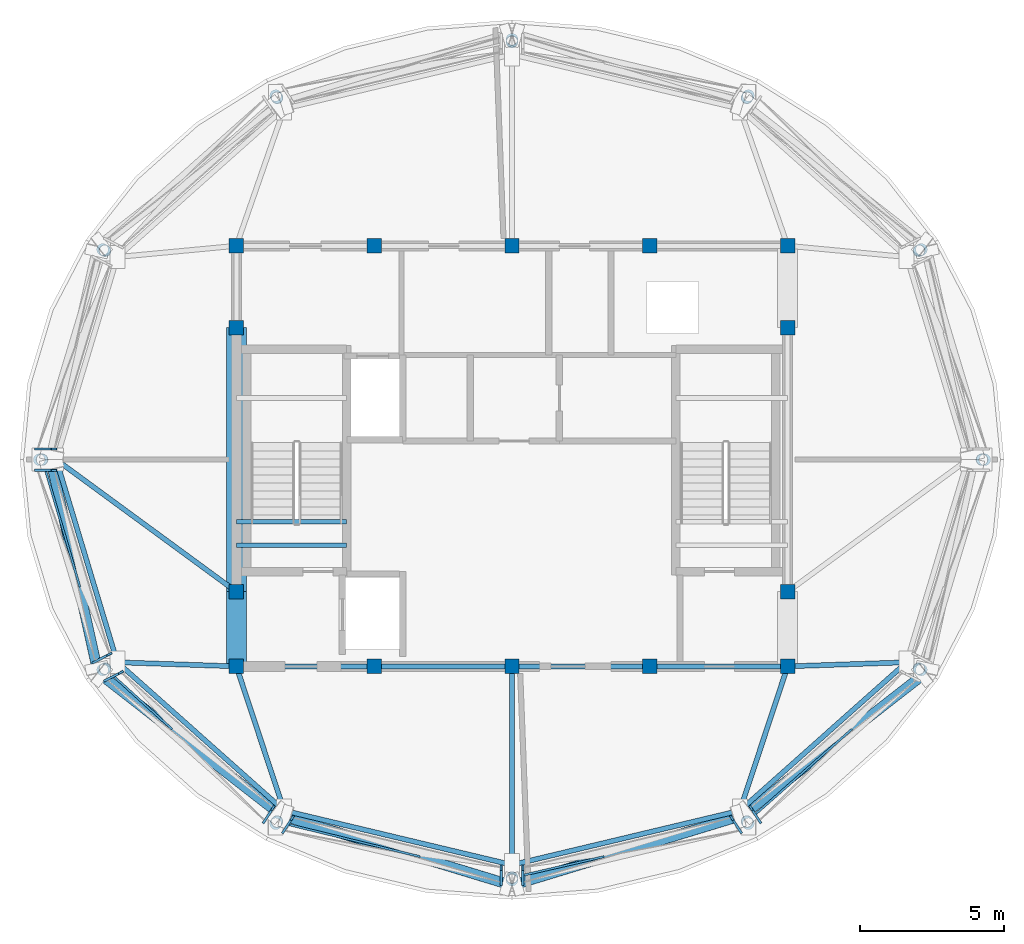
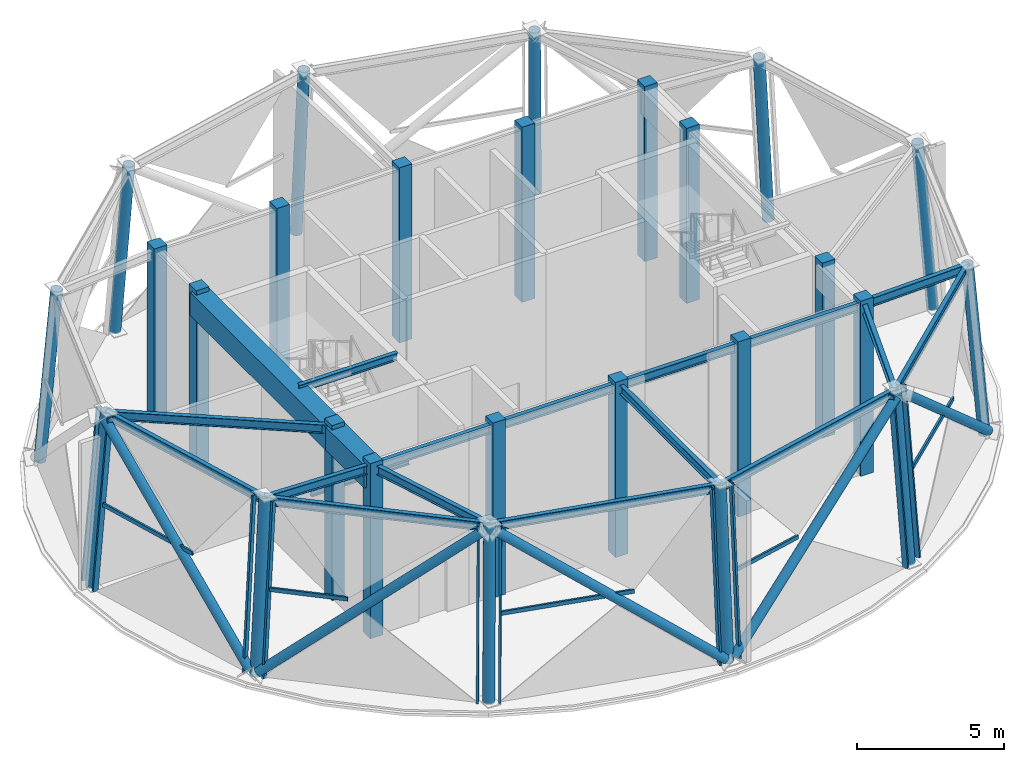
# One storey, part 1 of 9: 26 columns, 20 members, 19 beams, 6 elements without a shape of their own.
"""IFC4 building model written with IfcOpenShell, lengths in metres."""

from ifc_helpers import new_model, si_unit, direction, frame, origin, origin_2d, place, context, subcontext, project, spatial, rectangle, hollow_rectangle, hollow_circle, i_section, extrude, material, layer, layer_set, material_profile, profile_set, type_object, element, aggregate, save


model = new_model("IFC4")

# Units and contexts
model_context = context("Model", 3, precision=1e-05, world=origin(), true_north=direction((0.0, 1.0)))
body_context = subcontext(model_context, "Body", "Model", "MODEL_VIEW")
ifc_project = project(units=[si_unit("LENGTHUNIT", "METRE"), si_unit("AREAUNIT", "SQUARE_METRE"), si_unit("VOLUMEUNIT", "CUBIC_METRE"), si_unit("PLANEANGLEUNIT", "RADIAN"), si_unit("MASSUNIT", "GRAM", prefix="KILO")], contexts=[model_context])

# Site, building, storey
site_placement = place(None, origin())
site = spatial("IfcSite", under=ifc_project, at=site_placement, CompositionType="ELEMENT")
building_placement = place(site_placement, origin())
building = spatial("IfcBuilding", under=site, at=building_placement, Name="Vantalir Tower", CompositionType="ELEMENT")
storey_placement = place(building_placement, frame((0.0, 0.0, 311.75)))
storey = spatial("IfcBuildingStorey", under=building, at=storey_placement, Name="L77", CompositionType="ELEMENT", Elevation=311.75)

# Columns
ifc_material_1 = material(Name="Concrete C50/60", Category="concrete")
ifc_material_profile_1 = material_profile(ifc_material_1, rectangle(XDim=0.5, YDim=0.5, at=origin_2d()), Name="Concrete C50/60")
ifc_profile_set_1 = profile_set([ifc_material_profile_1], Name="Concrete C50/60")
column_type_1 = type_object("IfcColumnType", Name="COL-CC-500", PredefinedType="COLUMN", material=ifc_profile_set_1)
for number, where, z_axis, x_axis, name in (
    (1, (21.89990234375, 17.800048828125, 0.0), (0.0, 0.0, 1.0), (1.0, 0.0, 0.0), "L77 Core Column CC01"),
    (2, (26.699951171875, 17.800048828125, 0.0), (0.0, 0.0, 1.0), (1.0, 0.0, 0.0), "L77 Core Column CC02"),
    (3, (31.5, 17.800048828125, 0.0), (0.0, 0.0, 1.0), (1.0, 0.0, 0.0), "L77 Core Column CC03"),
    (4, (36.300048828125, 17.800048828125, 0.0), (0.0, 0.0, 1.0), (1.0, 0.0, 0.0), "L77 Core Column CC04"),
    (5, (41.10009765625, 17.800048828125, 0.0), (0.0, 0.0, 1.0), (1.0, 0.0, 0.0), "L77 Core Column CC05"),
    (6, (21.89990234375, 20.39990234375, 0.0), (0.0, 0.0, 1.0), (1.0, 0.0, 0.0), "L77 Core Column CC06"),
    (7, (21.89990234375, 29.60009765625, 0.0), (0.0, 0.0, 1.0), (1.0, 0.0, 0.0), "L77 Core Column CC07"),
    (8, (41.10009765625, 20.39990234375, 0.0), (0.0, 0.0, 1.0), (1.0, 0.0, 0.0), "L77 Core Column CC08"),
    (9, (41.10009765625, 29.60009765625, 0.0), (0.0, 0.0, 1.0), (1.0, 0.0, 0.0), "L77 Core Column CC09"),
    (10, (21.89990234375, 32.449951171875, 0.0), (0.0, 0.0, 1.0), (1.0, 0.0, 0.0), "L77 Core Column CC10"),
    (11, (26.699951171875, 32.449951171875, 0.0), (0.0, 0.0, 1.0), (1.0, 0.0, 0.0), "L77 Core Column CC11"),
    (12, (31.5, 32.449951171875, 0.0), (0.0, 0.0, 1.0), (1.0, 0.0, 0.0), "L77 Core Column CC12"),
    (13, (36.300048828125, 32.449951171875, 0.0), (0.0, 0.0, 1.0), (1.0, 0.0, 0.0), "L77 Core Column CC13"),
    (14, (41.10009765625, 32.449951171875, 0.0), (0.0, 0.0, 1.0), (1.0, 0.0, 0.0), "L77 Core Column CC14"),
):
    element("IfcColumn", number, at=place(storey_placement, frame(where, z_axis=z_axis, x_axis=x_axis)), inside=storey, type_object=column_type_1, Name=name, PredefinedType="COLUMN", context=body_context, shape_type="SweptSolid", body=[
        extrude(rectangle(XDim=0.5, YDim=0.5, at=origin_2d()), origin(), (0.0, 0.0, 1.0), 7.25),
    ])
ifc_material_2 = material(Name="Steel S460", Category="steel")
ifc_material_profile_2 = material_profile(ifc_material_2, hollow_circle(Radius=0.2099609375, WallThickness=0.02001953125, at=origin_2d()), Name="Steel S460")
ifc_profile_set_2 = profile_set([ifc_material_profile_2], Name="Steel S460")
column_type_2 = type_object("IfcColumnType", Name="COL-RC-420", PredefinedType="COLUMN", material=ifc_profile_set_2)
column_1_placement = place(storey_placement, frame((47.962890625, 25.0, 0.0), z_axis=(-0.082729348839, 0.0, 0.996572052007), x_axis=(0.0, -1.0, 0.0)))
element("IfcColumn", 15, at=column_1_placement, inside=storey, type_object=column_type_2, Name="L77 Perimeter Ring Column RC01", PredefinedType="COLUMN", context=body_context, shape_type="SweptSolid", body=[
    extrude(hollow_circle(Radius=0.2099609375, WallThickness=0.02001953125, at=origin_2d()), origin(), (0.0, 0.0, 1.0), 7.094482421875),
])
column_2_placement = place(storey_placement, frame((45.757080078125, 32.320068359375, 0.0), z_axis=(-0.071626494536, -0.036931873444, 0.996747551792), x_axis=(0.4582838613, -0.888805885709, 0.0)))
element("IfcColumn", 16, at=column_2_placement, inside=storey, type_object=column_type_2, Name="L77 Perimeter Ring Column RC02", PredefinedType="COLUMN", context=body_context, shape_type="SweptSolid", body=[
    extrude(hollow_circle(Radius=0.2099609375, WallThickness=0.02001953125, at=origin_2d()), origin(), (0.0, 0.0, 1.0), 7.093017578125),
])
column_3_placement = place(storey_placement, frame((39.73193359375, 37.678955078125, 0.0), z_axis=(-0.04145495348, -0.064007274517, 0.997088038059), x_axis=(0.839339926536, -0.54360692391, 0.0)))
element("IfcColumn", 17, at=column_3_placement, inside=storey, type_object=column_type_2, Name="L77 Perimeter Ring Column RC03", PredefinedType="COLUMN", context=body_context, shape_type="SweptSolid", body=[
    extrude(hollow_circle(Radius=0.2099609375, WallThickness=0.02001953125, at=origin_2d()), origin(), (0.0, 0.0, 1.0), 7.0908203125),
])
column_4_placement = place(storey_placement, frame((31.5, 39.639892578125, 0.0), z_axis=(0.0, -0.073902129239, 0.997265498899), x_axis=(1.0, 0.0, 0.0)))
element("IfcColumn", 18, at=column_4_placement, inside=storey, type_object=column_type_2, Name="L77 Perimeter Ring Column RC04", PredefinedType="COLUMN", context=body_context, shape_type="SweptSolid", body=[
    extrude(hollow_circle(Radius=0.2099609375, WallThickness=0.02001953125, at=origin_2d()), origin(), (0.0, 0.0, 1.0), 7.08935546875),
])
column_5_placement = place(storey_placement, frame((23.26904296875, 37.678955078125, 0.0), z_axis=(0.041317464886, -0.064007639353, 0.997093721372), x_axis=(0.840163795979, 0.542332735436, 0.0)))
element("IfcColumn", 19, at=column_5_placement, inside=storey, type_object=column_type_2, Name="L77 Perimeter Ring Column RC05", PredefinedType="COLUMN", context=body_context, shape_type="SweptSolid", body=[
    extrude(hollow_circle(Radius=0.2099609375, WallThickness=0.02001953125, at=origin_2d()), origin(), (0.0, 0.0, 1.0), 7.090576171875),
])
column_6_placement = place(storey_placement, frame((17.242919921875, 32.320068359375, 0.0), z_axis=(0.071626494536, -0.036931873444, 0.996747551792), x_axis=(0.4582838613, 0.888805885709, 0.0)))
element("IfcColumn", 20, at=column_6_placement, inside=storey, type_object=column_type_2, Name="L77 Perimeter Ring Column RC06", PredefinedType="COLUMN", context=body_context, shape_type="SweptSolid", body=[
    extrude(hollow_circle(Radius=0.2099609375, WallThickness=0.02001953125, at=origin_2d()), origin(), (0.0, 0.0, 1.0), 7.093017578125),
])
column_7_placement = place(storey_placement, frame((15.037109375, 25.0, 0.0), z_axis=(0.082729348839, 0.0, 0.996572052007), x_axis=(0.0, 1.0, 0.0)))
element("IfcColumn", 21, at=column_7_placement, inside=storey, type_object=column_type_2, Name="L77 Perimeter Ring Column RC07", PredefinedType="COLUMN", context=body_context, shape_type="SweptSolid", body=[
    extrude(hollow_circle(Radius=0.2099609375, WallThickness=0.02001953125, at=origin_2d()), origin(), (0.0, 0.0, 1.0), 7.094482421875),
])
column_8_placement = place(storey_placement, frame((17.242919921875, 17.679931640625, 0.0), z_axis=(0.071626494536, 0.036931873444, 0.996747551792), x_axis=(-0.4582838613, 0.888805885709, 0.0)))
element("IfcColumn", 22, at=column_8_placement, inside=storey, type_object=column_type_2, Name="L77 Perimeter Ring Column RC08", PredefinedType="COLUMN", context=body_context, shape_type="SweptSolid", body=[
    extrude(hollow_circle(Radius=0.2099609375, WallThickness=0.02001953125, at=origin_2d()), origin(), (0.0, 0.0, 1.0), 7.093017578125),
])
column_9_placement = place(storey_placement, frame((23.26806640625, 12.321044921875, 0.0), z_axis=(0.04145495348, 0.064007274517, 0.997088038059), x_axis=(-0.839339926536, 0.54360692391, 0.0)))
element("IfcColumn", 23, at=column_9_placement, inside=storey, type_object=column_type_2, Name="L77 Perimeter Ring Column RC09", PredefinedType="COLUMN", context=body_context, shape_type="SweptSolid", body=[
    extrude(hollow_circle(Radius=0.2099609375, WallThickness=0.02001953125, at=origin_2d()), origin(), (0.0, 0.0, 1.0), 7.0908203125),
])
column_10_placement = place(storey_placement, frame((31.5, 10.360107421875, 0.0), z_axis=(0.0, 0.073902129239, 0.997265498899), x_axis=(-1.0, 0.0, 0.0)))
element("IfcColumn", 24, at=column_10_placement, inside=storey, type_object=column_type_2, Name="L77 Perimeter Ring Column RC10", PredefinedType="COLUMN", context=body_context, shape_type="SweptSolid", body=[
    extrude(hollow_circle(Radius=0.2099609375, WallThickness=0.02001953125, at=origin_2d()), origin(), (0.0, 0.0, 1.0), 7.08935546875),
])
column_11_placement = place(storey_placement, frame((39.73193359375, 12.321044921875, 0.0), z_axis=(-0.04145495348, 0.064007274517, 0.997088038059), x_axis=(-0.839339926536, -0.54360692391, 0.0)))
element("IfcColumn", 25, at=column_11_placement, inside=storey, type_object=column_type_2, Name="L77 Perimeter Ring Column RC11", PredefinedType="COLUMN", context=body_context, shape_type="SweptSolid", body=[
    extrude(hollow_circle(Radius=0.2099609375, WallThickness=0.02001953125, at=origin_2d()), origin(), (0.0, 0.0, 1.0), 7.0908203125),
])
column_12_placement = place(storey_placement, frame((45.757080078125, 17.679931640625, 0.0), z_axis=(-0.071626494536, 0.036931873444, 0.996747551792), x_axis=(-0.4582838613, -0.888805885709, 0.0)))
element("IfcColumn", 26, at=column_12_placement, inside=storey, type_object=column_type_2, Name="L77 Perimeter Ring Column RC12", PredefinedType="COLUMN", context=body_context, shape_type="SweptSolid", body=[
    extrude(hollow_circle(Radius=0.2099609375, WallThickness=0.02001953125, at=origin_2d()), origin(), (0.0, 0.0, 1.0), 7.093017578125),
])

# Beams
ifc_material_3 = material(Name="Concrete C60/75", Category="concrete")
ifc_material_profile_3 = material_profile(ifc_material_3, rectangle(XDim=0.699951171875, YDim=0.949951171875, at=origin_2d()), Name="Concrete C60/75")
ifc_profile_set_3 = profile_set([ifc_material_profile_3], Name="Concrete C60/75")
beam_type_1 = type_object("IfcBeamType", Name="BM-CB-700x950", PredefinedType="USERDEFINED", material=ifc_profile_set_3)
beam_1_placement = place(storey_placement, frame((21.89990234375, 29.60009765625, 6.594970703125), z_axis=(0.0, -1.0, 0.0), x_axis=(1.0, 0.0, 0.0)))
element("IfcBeam", 27, at=beam_1_placement, inside=storey, type_object=beam_type_1, Name="L77 Core Coupling Girder 13", ObjectType="GIRDER", PredefinedType="USERDEFINED", context=body_context, shape_type="SweptSolid", body=[
    extrude(rectangle(XDim=0.699951171875, YDim=0.949951171875, at=origin_2d()), origin(), (0.0, 0.0, 1.0), 9.2001953125),
])
beam_2_placement = place(storey_placement, frame((21.89990234375, 20.39990234375, 6.594970703125), z_axis=(0.0, -1.0, 0.0), x_axis=(1.0, 0.0, 0.0)))
element("IfcBeam", 28, at=beam_2_placement, inside=storey, type_object=beam_type_1, Name="L77 Core Coupling Girder 14", ObjectType="GIRDER", PredefinedType="USERDEFINED", context=body_context, shape_type="SweptSolid", body=[
    extrude(rectangle(XDim=0.699951171875, YDim=0.949951171875, at=origin_2d()), origin(), (0.0, 0.0, 1.0), 2.599853515625),
])
ifc_material_4 = material(Name="Steel S355", Category="steel")
ifc_material_profile_4 = material_profile(ifc_material_4, i_section(OverallWidth=0.166015625, OverallDepth=0.306884765625, WebThickness=0.006591796875, FlangeThickness=0.01171875, at=origin_2d()), Name="Steel S355")
ifc_profile_set_4 = profile_set([ifc_material_profile_4], Name="Steel S355")
beam_type_2 = type_object("IfcBeamType", Name="BM-JS-305x165", PredefinedType="JOIST", material=ifc_profile_set_4)
for number, where, z_axis, x_axis, name in (
    (29, (21.89990234375, 22.8349609375, 7.095947265625), (1.0, 0.0, 0.0), (0.0, 1.0, 0.0), "L78 Stair ST1 Well Nosing Trimmer Beam"),
    (30, (21.89990234375, 22.02001953125, 3.27197265625), (1.0, 0.0, 0.0), (0.0, 1.0, 0.0), "L77 Stair ST1 Half-Landing Support Beam"),
):
    element("IfcBeam", number, at=place(storey_placement, frame(where, z_axis=z_axis, x_axis=x_axis)), inside=storey, type_object=beam_type_2, Name=name, PredefinedType="JOIST", context=body_context, shape_type="SweptSolid", body=[
        extrude(i_section(OverallWidth=0.166015625, OverallDepth=0.306884765625, WebThickness=0.006591796875, FlangeThickness=0.01171875, at=origin_2d()), origin(), (0.0, 0.0, 1.0), 3.840087890625),
    ])
ifc_material_profile_5 = material_profile(ifc_material_2, i_section(OverallWidth=0.172119140625, OverallDepth=0.35791015625, WebThickness=0.008056640625, FlangeThickness=0.012939453125, at=origin_2d()), Name="Steel S460")
ifc_profile_set_5 = profile_set([ifc_material_profile_5], Name="Steel S460")
beam_type_3 = type_object("IfcBeamType", Name="BM-RB-356x171", PredefinedType="BEAM", material=ifc_profile_set_5)
for number, where, z_axis, x_axis, name in (
    (31, (21.89990234375, 17.800048828125, 6.89111328125), (1.0, 0.0, 0.0), (0.0, 1.0, 0.0), "L77 Core Coupling Girder 01"),
    (32, (26.699951171875, 17.800048828125, 6.89111328125), (1.0, 0.0, 0.0), (0.0, 1.0, 0.0), "L77 Core Coupling Girder 02"),
    (33, (31.5, 17.800048828125, 6.89111328125), (1.0, 0.0, 0.0), (0.0, 1.0, 0.0), "L77 Core Coupling Girder 03"),
    (34, (36.300048828125, 17.800048828125, 6.89111328125), (1.0, 0.0, 0.0), (0.0, 1.0, 0.0), "L77 Core Coupling Girder 04"),
):
    element("IfcBeam", number, at=place(storey_placement, frame(where, z_axis=z_axis, x_axis=x_axis)), inside=storey, type_object=beam_type_3, Name=name, PredefinedType="BEAM", context=body_context, shape_type="SweptSolid", body=[
        extrude(i_section(OverallWidth=0.172119140625, OverallDepth=0.35791015625, WebThickness=0.008056640625, FlangeThickness=0.012939453125, at=origin_2d()), origin(), (0.0, 0.0, 1.0), 4.800048828125),
    ])
beam_3_placement = place(storey_placement, frame((15.6240234375, 25.0, 6.89111328125), z_axis=(0.288532657113, -0.957470054769, 0.0), x_axis=(0.957470054769, 0.288532657113, 0.0)))
element("IfcBeam", 35, at=beam_3_placement, inside=storey, type_object=beam_type_3, Name="L77 Circumferential Ring Girder 07", PredefinedType="BEAM", context=body_context, shape_type="SweptSolid", body=[
    extrude(i_section(OverallWidth=0.172119140625, OverallDepth=0.35791015625, WebThickness=0.008056640625, FlangeThickness=0.012939453125, at=origin_2d()), origin(), (0.0, 0.0, 1.0), 7.37158203125),
])
beam_4_placement = place(storey_placement, frame((15.6240234375, 25.0, 6.89111328125), z_axis=(0.80654063321, -0.591178659105, 0.0), x_axis=(0.591178659105, 0.80654063321, 0.0)))
element("IfcBeam", 36, at=beam_4_placement, inside=storey, type_object=beam_type_3, Name="L77 Radial Floor Beam 07", PredefinedType="BEAM", context=body_context, shape_type="SweptSolid", body=[
    extrude(i_section(OverallWidth=0.172119140625, OverallDepth=0.35791015625, WebThickness=0.008056640625, FlangeThickness=0.012939453125, at=origin_2d()), origin(), (0.0, 0.0, 1.0), 7.78125),
])
beam_5_placement = place(storey_placement, frame((17.7509765625, 17.94189453125, 6.89111328125), z_axis=(0.747305375478, -0.664480756517, 0.0), x_axis=(0.664480756517, 0.747305375478, 0.0)))
element("IfcBeam", 37, at=beam_5_placement, inside=storey, type_object=beam_type_3, Name="L77 Circumferential Ring Girder 08", PredefinedType="BEAM", context=body_context, shape_type="SweptSolid", body=[
    extrude(i_section(OverallWidth=0.172119140625, OverallDepth=0.35791015625, WebThickness=0.008056640625, FlangeThickness=0.012939453125, at=origin_2d()), origin(), (0.0, 0.0, 1.0), 7.77587890625),
])
beam_6_placement = place(storey_placement, frame((17.7509765625, 17.94189453125, 6.89111328125), z_axis=(0.9994160838, -0.03416857389, 0.0), x_axis=(0.03416857389, 0.9994160838, 0.0)))
element("IfcBeam", 38, at=beam_6_placement, inside=storey, type_object=beam_type_3, Name="L77 Radial Floor Beam 08", PredefinedType="BEAM", context=body_context, shape_type="SweptSolid", body=[
    extrude(i_section(OverallWidth=0.172119140625, OverallDepth=0.35791015625, WebThickness=0.008056640625, FlangeThickness=0.012939453125, at=origin_2d()), origin(), (0.0, 0.0, 1.0), 4.1513671875),
])
beam_7_placement = place(storey_placement, frame((23.56201171875, 12.77490234375, 6.89111328125), z_axis=(0.972782133086, -0.231721646698, 0.0), x_axis=(0.231721646698, 0.972782133086, 0.0)))
element("IfcBeam", 39, at=beam_7_placement, inside=storey, type_object=beam_type_3, Name="L77 Circumferential Ring Girder 09", PredefinedType="BEAM", context=body_context, shape_type="SweptSolid", body=[
    extrude(i_section(OverallWidth=0.172119140625, OverallDepth=0.35791015625, WebThickness=0.008056640625, FlangeThickness=0.012939453125, at=origin_2d()), origin(), (0.0, 0.0, 1.0), 8.16015625),
])
beam_8_placement = place(storey_placement, frame((23.56201171875, 12.77490234375, 6.89111328125), z_axis=(-0.314026699104, 0.949414152122, 0.0), x_axis=(-0.949414152122, -0.314026699104, 0.0)))
element("IfcBeam", 40, at=beam_8_placement, inside=storey, type_object=beam_type_3, Name="L77 Radial Floor Beam 09", PredefinedType="BEAM", context=body_context, shape_type="SweptSolid", body=[
    extrude(i_section(OverallWidth=0.172119140625, OverallDepth=0.35791015625, WebThickness=0.008056640625, FlangeThickness=0.012939453125, at=origin_2d()), origin(), (0.0, 0.0, 1.0), 5.29296875),
])
beam_9_placement = place(storey_placement, frame((31.5, 10.884033203125, 6.89111328125), z_axis=(0.972782133086, 0.231721646698, 0.0), x_axis=(-0.231721646698, 0.972782133086, 0.0)))
element("IfcBeam", 41, at=beam_9_placement, inside=storey, type_object=beam_type_3, Name="L77 Circumferential Ring Girder 10", PredefinedType="BEAM", context=body_context, shape_type="SweptSolid", body=[
    extrude(i_section(OverallWidth=0.172119140625, OverallDepth=0.35791015625, WebThickness=0.008056640625, FlangeThickness=0.012939453125, at=origin_2d()), origin(), (0.0, 0.0, 1.0), 8.16015625),
])
beam_10_placement = place(storey_placement, frame((31.5, 10.884033203125, 6.89111328125), z_axis=(0.0, 1.0, 0.0), x_axis=(-1.0, 0.0, 0.0)))
element("IfcBeam", 42, at=beam_10_placement, inside=storey, type_object=beam_type_3, Name="L77 Radial Floor Beam 10", PredefinedType="BEAM", context=body_context, shape_type="SweptSolid", body=[
    extrude(i_section(OverallWidth=0.172119140625, OverallDepth=0.35791015625, WebThickness=0.008056640625, FlangeThickness=0.012939453125, at=origin_2d()), origin(), (0.0, 0.0, 1.0), 6.916015625),
])
beam_11_placement = place(storey_placement, frame((39.43798828125, 12.77490234375, 6.89111328125), z_axis=(0.747305375478, 0.664480756517, 0.0), x_axis=(-0.664480756517, 0.747305375478, 0.0)))
element("IfcBeam", 43, at=beam_11_placement, inside=storey, type_object=beam_type_3, Name="L77 Circumferential Ring Girder 11", PredefinedType="BEAM", context=body_context, shape_type="SweptSolid", body=[
    extrude(i_section(OverallWidth=0.172119140625, OverallDepth=0.35791015625, WebThickness=0.008056640625, FlangeThickness=0.012939453125, at=origin_2d()), origin(), (0.0, 0.0, 1.0), 7.77587890625),
])
beam_12_placement = place(storey_placement, frame((39.43798828125, 12.77490234375, 6.89111328125), z_axis=(0.314026699104, 0.949414152122, 0.0), x_axis=(-0.949414152122, 0.314026699104, 0.0)))
element("IfcBeam", 44, at=beam_12_placement, inside=storey, type_object=beam_type_3, Name="L77 Radial Floor Beam 11", PredefinedType="BEAM", context=body_context, shape_type="SweptSolid", body=[
    extrude(i_section(OverallWidth=0.172119140625, OverallDepth=0.35791015625, WebThickness=0.008056640625, FlangeThickness=0.012939453125, at=origin_2d()), origin(), (0.0, 0.0, 1.0), 5.29296875),
])
beam_13_placement = place(storey_placement, frame((45.2490234375, 17.94189453125, 6.89111328125), z_axis=(-0.9994160838, -0.03416857389, 0.0), x_axis=(0.03416857389, -0.9994160838, 0.0)))
element("IfcBeam", 45, at=beam_13_placement, inside=storey, type_object=beam_type_3, Name="L77 Radial Floor Beam 12", PredefinedType="BEAM", context=body_context, shape_type="SweptSolid", body=[
    extrude(i_section(OverallWidth=0.172119140625, OverallDepth=0.35791015625, WebThickness=0.008056640625, FlangeThickness=0.012939453125, at=origin_2d()), origin(), (0.0, 0.0, 1.0), 4.1513671875),
])

# Curtain wall, member
ifc_material_5 = material(Name="Champagne-silver PVDF aluminium and double-silver Low-E glass", Category="aluminium")
ifc_layer = layer(ifc_material_5, 0.25)
ifc_layer_set = layer_set([ifc_layer], Name="Champagne-silver PVDF aluminium and double-silver Low-E glass")
curtain_wall_type = type_object("IfcCurtainWallType", Name="CW-CROWN-PT", PredefinedType="USERDEFINED", material=ifc_layer_set)
curtain_wall_1_placement = place(storey_placement, origin())
curtain_wall_1 = element("IfcCurtainWall", 46, at=curtain_wall_1_placement, inside=storey, type_object=curtain_wall_type, Name="L77 Quilted Pyramid-Diamond Curtain Wall S06", ObjectType="UNITISED CURTAIN WALL", PredefinedType="USERDEFINED")
ifc_material_6 = material(Name="Champagne-silver PVDF aluminium 6063-T6", Category="aluminium")
ifc_material_profile_6 = material_profile(ifc_material_6, hollow_rectangle(XDim=0.080078125, YDim=0.199951171875, WallThickness=0.0048828125, at=origin_2d()), Name="Champagne-silver PVDF aluminium 6063-T6")
ifc_profile_set_6 = profile_set([ifc_material_profile_6], Name="Champagne-silver PVDF aluminium 6063-T6")
member_type_1 = type_object("IfcMemberType", Name="CWM-200x80", PredefinedType="MULLION", material=ifc_profile_set_6)
member_1_placement = place(storey_placement, frame((14.958984375, 25.373046875, 0.044921875), z_axis=(0.083789655369, 0.0, 0.996483463813), x_axis=(0.0, 1.0, 0.0)))
member_1 = element("IfcMember", 47, at=member_1_placement, type_object=member_type_1, Name="CW-L77-S06 Mullion 2", PredefinedType="MULLION", context=body_context, shape_type="SweptSolid", body=[
    extrude(hollow_rectangle(XDim=0.080078125, YDim=0.199951171875, WallThickness=0.0048828125, at=origin_2d()), origin(), (0.0, 0.0, 1.0), 7.004638671875),
])
aggregate(curtain_wall_1, [member_1])

# Curtain wall, members
curtain_wall_2_placement = place(storey_placement, origin())
curtain_wall_2 = element("IfcCurtainWall", 48, at=curtain_wall_2_placement, inside=storey, type_object=curtain_wall_type, Name="L77 Quilted Pyramid-Diamond Curtain Wall S07", ObjectType="UNITISED CURTAIN WALL", PredefinedType="USERDEFINED")
member_2_placement = place(storey_placement, frame((14.958984375, 24.626953125, 0.044921875), z_axis=(0.083789655369, 0.0, 0.996483463813), x_axis=(0.0, 1.0, 0.0)))
member_2 = element("IfcMember", 49, at=member_2_placement, type_object=member_type_1, Name="CW-L77-S07 Mullion 1", PredefinedType="MULLION", context=body_context, shape_type="SweptSolid", body=[
    extrude(hollow_rectangle(XDim=0.080078125, YDim=0.199951171875, WallThickness=0.0048828125, at=origin_2d()), origin(), (0.0, 0.0, 1.0), 7.004638671875),
])
member_3_placement = place(storey_placement, frame((16.966064453125, 17.9580078125, 0.044921875), z_axis=(0.072544830154, 0.037405383352, 0.996663476262), x_axis=(-0.4582838613, 0.888805885709, 0.0)))
member_3 = element("IfcMember", 50, at=member_3_placement, type_object=member_type_1, Name="CW-L77-S07 Mullion 2", PredefinedType="MULLION", context=body_context, shape_type="SweptSolid", body=[
    extrude(hollow_rectangle(XDim=0.080078125, YDim=0.199951171875, WallThickness=0.0048828125, at=origin_2d()), origin(), (0.0, 0.0, 1.0), 7.00341796875),
])

curtain_wall_3_placement = place(storey_placement, origin())
curtain_wall_3 = element("IfcCurtainWall", 51, at=curtain_wall_3_placement, inside=storey, type_object=curtain_wall_type, Name="L77 Quilted Pyramid-Diamond Curtain Wall S08", ObjectType="UNITISED CURTAIN WALL", PredefinedType="USERDEFINED")
member_4_placement = place(storey_placement, frame((17.368896484375, 17.325927734375, 0.044921875), z_axis=(0.072544830154, 0.037405383352, 0.996663476262), x_axis=(-0.4582838613, 0.888805885709, 0.0)))
member_4 = element("IfcMember", 52, at=member_4_placement, type_object=member_type_1, Name="CW-L77-S08 Mullion 1", PredefinedType="MULLION", context=body_context, shape_type="SweptSolid", body=[
    extrude(hollow_rectangle(XDim=0.080078125, YDim=0.199951171875, WallThickness=0.0048828125, at=origin_2d()), origin(), (0.0, 0.0, 1.0), 7.00341796875),
])
member_5_placement = place(storey_placement, frame((22.882080078125, 12.416015625, 0.044921875), z_axis=(0.041986729828, 0.064863220499, 0.997010469927), x_axis=(-0.839473273036, 0.54340097889, 0.0)))
member_5 = element("IfcMember", 53, at=member_5_placement, type_object=member_type_1, Name="CW-L77-S08 Mullion 2", PredefinedType="MULLION", context=body_context, shape_type="SweptSolid", body=[
    extrude(hollow_rectangle(XDim=0.080078125, YDim=0.199951171875, WallThickness=0.0048828125, at=origin_2d()), origin(), (0.0, 0.0, 1.0), 7.0009765625),
])

curtain_wall_4_placement = place(storey_placement, origin())
curtain_wall_4 = element("IfcCurtainWall", 54, at=curtain_wall_4_placement, inside=storey, type_object=curtain_wall_type, Name="L77 Quilted Pyramid-Diamond Curtain Wall S09", ObjectType="UNITISED CURTAIN WALL", PredefinedType="USERDEFINED")
member_6_placement = place(storey_placement, frame((23.552001953125, 12.06591796875, 0.044921875), z_axis=(0.041986729828, 0.064863220499, 0.997010469927), x_axis=(-0.839473273036, 0.54340097889, 0.0)))
member_6 = element("IfcMember", 55, at=member_6_placement, type_object=member_type_1, Name="CW-L77-S09 Mullion 1", PredefinedType="MULLION", context=body_context, shape_type="SweptSolid", body=[
    extrude(hollow_rectangle(XDim=0.080078125, YDim=0.199951171875, WallThickness=0.0048828125, at=origin_2d()), origin(), (0.0, 0.0, 1.0), 7.0009765625),
])
member_7_placement = place(storey_placement, frame((31.12109375, 10.260986328125, 0.044921875), z_axis=(0.0, 0.074850645186, 0.99719475576), x_axis=(-1.0, 0.0, 0.0)))
member_7 = element("IfcMember", 56, at=member_7_placement, type_object=member_type_1, Name="CW-L77-S09 Mullion 2", PredefinedType="MULLION", context=body_context, shape_type="SweptSolid", body=[
    extrude(hollow_rectangle(XDim=0.080078125, YDim=0.199951171875, WallThickness=0.0048828125, at=origin_2d()), origin(), (0.0, 0.0, 1.0), 6.99951171875),
])

curtain_wall_5_placement = place(storey_placement, origin())
curtain_wall_5 = element("IfcCurtainWall", 57, at=curtain_wall_5_placement, inside=storey, type_object=curtain_wall_type, Name="L77 Quilted Pyramid-Diamond Curtain Wall S10", ObjectType="UNITISED CURTAIN WALL", PredefinedType="USERDEFINED")
member_8_placement = place(storey_placement, frame((31.87890625, 10.260986328125, 0.044921875), z_axis=(0.0, 0.074850645186, 0.99719475576), x_axis=(-1.0, 0.0, 0.0)))
member_8 = element("IfcMember", 58, at=member_8_placement, type_object=member_type_1, Name="CW-L77-S10 Mullion 1", PredefinedType="MULLION", context=body_context, shape_type="SweptSolid", body=[
    extrude(hollow_rectangle(XDim=0.080078125, YDim=0.199951171875, WallThickness=0.0048828125, at=origin_2d()), origin(), (0.0, 0.0, 1.0), 6.99951171875),
])
member_9_placement = place(storey_placement, frame((39.447998046875, 12.06591796875, 0.044921875), z_axis=(-0.041986729828, 0.064863220499, 0.997010469927), x_axis=(-0.839473273036, -0.54340097889, 0.0)))
member_9 = element("IfcMember", 59, at=member_9_placement, type_object=member_type_1, Name="CW-L77-S10 Mullion 2", PredefinedType="MULLION", context=body_context, shape_type="SweptSolid", body=[
    extrude(hollow_rectangle(XDim=0.080078125, YDim=0.199951171875, WallThickness=0.0048828125, at=origin_2d()), origin(), (0.0, 0.0, 1.0), 7.0009765625),
])

# Curtain wall, member
curtain_wall_6_placement = place(storey_placement, origin())
curtain_wall_6 = element("IfcCurtainWall", 60, at=curtain_wall_6_placement, inside=storey, type_object=curtain_wall_type, Name="L77 Quilted Pyramid-Diamond Curtain Wall S11", ObjectType="UNITISED CURTAIN WALL", PredefinedType="USERDEFINED")
member_10_placement = place(storey_placement, frame((40.117919921875, 12.416015625, 0.044921875), z_axis=(-0.041986729828, 0.064863220499, 0.997010469927), x_axis=(-0.839473273036, -0.54340097889, 0.0)))
member_10 = element("IfcMember", 61, at=member_10_placement, type_object=member_type_1, Name="CW-L77-S11 Mullion 1", PredefinedType="MULLION", context=body_context, shape_type="SweptSolid", body=[
    extrude(hollow_rectangle(XDim=0.080078125, YDim=0.199951171875, WallThickness=0.0048828125, at=origin_2d()), origin(), (0.0, 0.0, 1.0), 7.0009765625),
])

# Member
ifc_material_profile_7 = material_profile(ifc_material_6, hollow_rectangle(XDim=0.074951171875, YDim=0.159912109375, WallThickness=0.00390625, at=origin_2d()), Name="Champagne-silver PVDF aluminium 6063-T6")
ifc_profile_set_7 = profile_set([ifc_material_profile_7], Name="Champagne-silver PVDF aluminium 6063-T6")
member_type_2 = type_object("IfcMemberType", Name="CWT-160x75", PredefinedType="USERDEFINED", material=ifc_profile_set_7)
member_11_placement = place(storey_placement, frame((15.2529296875, 24.626953125, 3.534912109375), z_axis=(0.282581641047, -0.95924325181, 0.0), x_axis=(0.95924325181, 0.282581641047, 0.0)))
member_11 = element("IfcMember", 62, at=member_11_placement, type_object=member_type_2, Name="CW-L77-S07 Pyramid Fold Ridge Transom", ObjectType="TRANSOM", PredefinedType="USERDEFINED", context=body_context, shape_type="SweptSolid", body=[
    extrude(hollow_rectangle(XDim=0.074951171875, YDim=0.159912109375, WallThickness=0.00390625, at=origin_2d()), origin(), (0.0, 0.0, 1.0), 4.232666015625),
])

aggregate(curtain_wall_2, [member_2, member_3, member_11])

member_12_placement = place(storey_placement, frame((17.623046875, 17.45703125, 3.534912109375), z_axis=(0.74117350015, -0.671313520402, 0.0), x_axis=(0.671313520402, 0.74117350015, 0.0)))
member_12 = element("IfcMember", 63, at=member_12_placement, type_object=member_type_2, Name="CW-L77-S08 Pyramid Fold Ridge Transom", ObjectType="TRANSOM", PredefinedType="USERDEFINED", context=body_context, shape_type="SweptSolid", body=[
    extrude(hollow_rectangle(XDim=0.074951171875, YDim=0.159912109375, WallThickness=0.00390625, at=origin_2d()), origin(), (0.0, 0.0, 1.0), 2.746826171875),
])

aggregate(curtain_wall_3, [member_4, member_5, member_12])

member_13_placement = place(storey_placement, frame((23.698974609375, 12.29296875, 3.534912109375), z_axis=(0.971525844177, -0.236933606938, 0.0), x_axis=(0.236933606938, 0.971525844177, 0.0)))
member_13 = element("IfcMember", 64, at=member_13_placement, type_object=member_type_2, Name="CW-L77-S09 Pyramid Fold Ridge Transom", ObjectType="TRANSOM", PredefinedType="USERDEFINED", context=body_context, shape_type="SweptSolid", body=[
    extrude(hollow_rectangle(XDim=0.074951171875, YDim=0.159912109375, WallThickness=0.00390625, at=origin_2d()), origin(), (0.0, 0.0, 1.0), 4.730712890625),
])

aggregate(curtain_wall_4, [member_6, member_7, member_13])

member_14_placement = place(storey_placement, frame((31.87890625, 10.52294921875, 3.534912109375), z_axis=(0.974619149304, 0.223869412405, 0.0), x_axis=(-0.223869412405, 0.974619149304, 0.0)))
member_14 = element("IfcMember", 65, at=member_14_placement, type_object=member_type_2, Name="CW-L77-S10 Pyramid Fold Ridge Transom", ObjectType="TRANSOM", PredefinedType="USERDEFINED", context=body_context, shape_type="SweptSolid", body=[
    extrude(hollow_rectangle(XDim=0.074951171875, YDim=0.159912109375, WallThickness=0.00390625, at=origin_2d()), origin(), (0.0, 0.0, 1.0), 2.899658203125),
])

aggregate(curtain_wall_5, [member_8, member_9, member_14])

member_15_placement = place(storey_placement, frame((39.970947265625, 12.64306640625, 3.534912109375), z_axis=(0.750242165261, 0.661163136801, 0.0), x_axis=(-0.661163136801, 0.750242165261, 0.0)))
member_15 = element("IfcMember", 66, at=member_15_placement, type_object=member_type_2, Name="CW-L77-S11 Pyramid Fold Ridge Transom", ObjectType="TRANSOM", PredefinedType="USERDEFINED", context=body_context, shape_type="SweptSolid", body=[
    extrude(hollow_rectangle(XDim=0.074951171875, YDim=0.159912109375, WallThickness=0.00390625, at=origin_2d()), origin(), (0.0, 0.0, 1.0), 4.491943359375),
])

aggregate(curtain_wall_6, [member_10, member_15])

# Members
ifc_material_profile_8 = material_profile(ifc_material_2, hollow_circle(Radius=0.177490234375, WallThickness=0.02001953125, at=origin_2d()), Name="Steel S460")
ifc_profile_set_8 = profile_set([ifc_material_profile_8], Name="Steel S460")
member_type_3 = type_object("IfcMemberType", Name="MEM-DB-355x20", PredefinedType="BRACE", material=ifc_profile_set_8)
member_16_placement = place(storey_placement, frame((17.2099609375, 17.48193359375, 0.222900390625), z_axis=(0.600243777884, -0.467241738612, 0.649147567823), x_axis=(0.614256309615, 0.789106574613, 0.0)))
element("IfcMember", 67, at=member_16_placement, inside=storey, type_object=member_type_3, Name="L77 CROWN FRAME Diagrid Brace R22L", PredefinedType="BRACE", context=body_context, shape_type="SweptSolid", body=[
    extrude(hollow_circle(Radius=0.177490234375, WallThickness=0.02001953125, at=origin_2d()), origin(), (0.0, 0.0, 1.0), 10.2041015625),
])
member_17_placement = place(storey_placement, frame((17.04296875, 17.743896484375, 0.22802734375), z_axis=(-0.160149770251, 0.722127163208, 0.672966872324), x_axis=(-0.976279425597, -0.2165143948, 0.0)))
element("IfcMember", 68, at=member_17_placement, inside=storey, type_object=member_type_3, Name="L77 CROWN FRAME Diagrid Brace R22R", PredefinedType="BRACE", context=body_context, shape_type="SweptSolid", body=[
    extrude(hollow_circle(Radius=0.177490234375, WallThickness=0.02001953125, at=origin_2d()), origin(), (0.0, 0.0, 1.0), 9.828125),
])
for number, where, z_axis, x_axis, name in (
    (69, (31.6630859375, 10.218994140625, 0.219970703125), (0.738719554626, 0.224578420101, 0.635498192631), (-0.29086612486, 0.956763762592, 0.0), "L77 CROWN FRAME Diagrid Brace R28L"),
    (70, (31.3369140625, 10.218994140625, 0.219970703125), (-0.738719554626, 0.224578420101, 0.635498192631), (-0.29086612486, -0.956763762592, 0.0), "L77 CROWN FRAME Diagrid Brace R28R"),
):
    element("IfcMember", number, at=place(storey_placement, frame(where, z_axis=z_axis, x_axis=x_axis)), inside=storey, type_object=member_type_3, Name=name, PredefinedType="BRACE", context=body_context, shape_type="SweptSolid", body=[
        extrude(hollow_circle(Radius=0.177490234375, WallThickness=0.02001953125, at=origin_2d()), origin(), (0.0, 0.0, 1.0), 10.432861328125),
    ])
member_18_placement = place(storey_placement, frame((45.7900390625, 17.48193359375, 0.222900390625), z_axis=(-0.600243777884, -0.467241738612, 0.649147567823), x_axis=(0.614256309615, -0.789106574613, 0.0)))
element("IfcMember", 71, at=member_18_placement, inside=storey, type_object=member_type_3, Name="L77 CROWN FRAME Diagrid Brace R34R", PredefinedType="BRACE", context=body_context, shape_type="SweptSolid", body=[
    extrude(hollow_circle(Radius=0.177490234375, WallThickness=0.02001953125, at=origin_2d()), origin(), (0.0, 0.0, 1.0), 10.2041015625),
])

save(model, "model.ifc")
